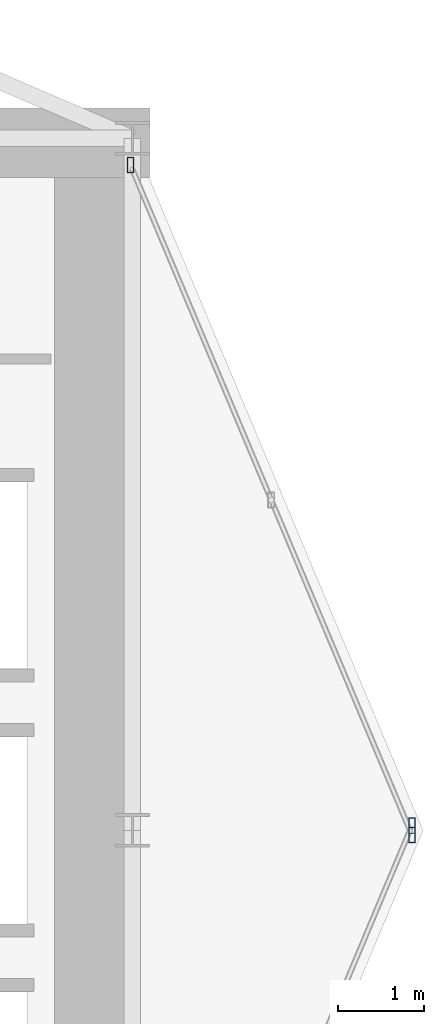
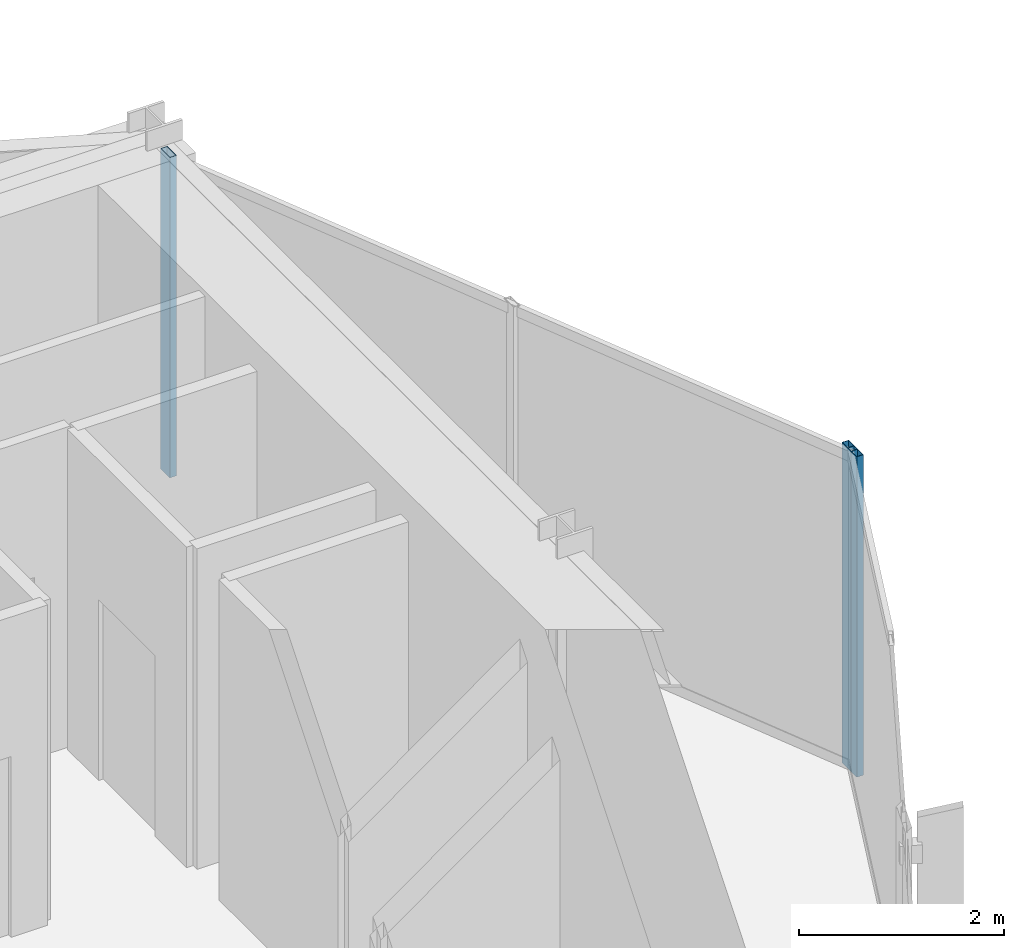
# One storey, part 17 of 25: 3 members, 2 elements without a shape of their own.
"""IFC4 building model written with IfcOpenShell, lengths in metres."""

from ifc_helpers import new_model, si_unit, direction, frame, origin, origin_2d, place, context, subcontext, project, spatial, hollow_rectangle, extrude, material, layer, layer_set, material_profile, profile_set, type_object, element, aggregate, save


model = new_model("IFC4")

# Units and contexts
model_context = context("Model", 3, precision=1e-05, world=origin(), true_north=direction((0.0, 1.0)))
body_context = subcontext(model_context, "Body", "Model", "MODEL_VIEW")
ifc_project = project(units=[si_unit("LENGTHUNIT", "METRE"), si_unit("AREAUNIT", "SQUARE_METRE"), si_unit("VOLUMEUNIT", "CUBIC_METRE"), si_unit("PLANEANGLEUNIT", "RADIAN"), si_unit("MASSUNIT", "GRAM", prefix="KILO")], contexts=[model_context])

# Site, building, storey
site_placement = place(None, origin())
site = spatial("IfcSite", under=ifc_project, at=site_placement, CompositionType="ELEMENT")
building_placement = place(site_placement, origin())
building = spatial("IfcBuilding", under=site, at=building_placement, Name="Veymaron Broadcast Tower", CompositionType="ELEMENT")
storey_placement = place(building_placement, frame((0.0, 0.0, 120.89990234375)))
storey = spatial("IfcBuildingStorey", under=building, at=storey_placement, Name="L27", CompositionType="ELEMENT", Elevation=120.89990234375)

# Curtain wall, member
ifc_material_1 = material(Name="Anodised aluminium AA 6063-T6 and laminated low-E dark glass", Category="aluminium")
ifc_layer = layer(ifc_material_1, 0.179931640625)
ifc_layer_set = layer_set([ifc_layer], Name="Anodised aluminium AA 6063-T6 and laminated low-E dark glass")
curtain_wall_type = type_object("IfcCurtainWallType", Name="CW-SYS-03", PredefinedType="NOTDEFINED", material=ifc_layer_set)
curtain_wall_1_placement = place(storey_placement, origin())
curtain_wall_1 = element("IfcCurtainWall", 1, at=curtain_wall_1_placement, inside=storey, type_object=curtain_wall_type, Name="L27 dark-glass curtain wall CW-L27-E2-1", PredefinedType="NOTDEFINED")
ifc_material_2 = material(Name="Anodised aluminium AA 6063-T6", Category="aluminium")
ifc_material_profile = material_profile(ifc_material_2, hollow_rectangle(XDim=0.074951171875, YDim=0.179931640625, WallThickness=0.0048828125, at=origin_2d()), Name="AL180X75X5")
ifc_profile_set = profile_set([ifc_material_profile], Name="Anodised aluminium AA 6063-T6")
member_type = type_object("IfcMemberType", Name="CW-MUL-02", PredefinedType="MULLION", material=ifc_profile_set)
member_1_placement = place(storey_placement, frame((57.830810546875, 24.05419921875, 0.0), z_axis=(0.0, 0.0, 1.0), x_axis=(1.0, 0.0, 0.0)))
member_1 = element("IfcMember", 2, at=member_1_placement, type_object=member_type, Name="CW-L27-E2-1 mullion 2", PredefinedType="MULLION", context=body_context, shape_type="SweptSolid", body=[
    extrude(hollow_rectangle(XDim=0.074951171875, YDim=0.179931640625, WallThickness=0.0048828125, at=origin_2d()), origin(), (0.0, 0.0, 1.0), 3.81005859375),
])
aggregate(curtain_wall_1, [member_1])

# Curtain wall, members
curtain_wall_2_placement = place(storey_placement, origin())
curtain_wall_2 = element("IfcCurtainWall", 3, at=curtain_wall_2_placement, inside=storey, type_object=curtain_wall_type, Name="L27 dark-glass curtain wall CW-L27-E3-1", PredefinedType="NOTDEFINED")
member_2_placement = place(storey_placement, frame((57.830810546875, 23.94580078125, 0.0), z_axis=(0.0, 0.0, 1.0), x_axis=(1.0, 0.0, 0.0)))
member_2 = element("IfcMember", 4, at=member_2_placement, type_object=member_type, Name="CW-L27-E3-1 mullion 0", PredefinedType="MULLION", context=body_context, shape_type="SweptSolid", body=[
    extrude(hollow_rectangle(XDim=0.074951171875, YDim=0.179931640625, WallThickness=0.0048828125, at=origin_2d()), origin(), (0.0, 0.0, 1.0), 3.81005859375),
])
member_3_placement = place(storey_placement, frame((54.576904296875, 31.693603515625, 0.0), z_axis=(0.0, 0.0, 1.0), x_axis=(1.0, 0.0, 0.0)))
member_3 = element("IfcMember", 5, at=member_3_placement, type_object=member_type, Name="CW-L27-E3-1 mullion 2", PredefinedType="MULLION", context=body_context, shape_type="SweptSolid", body=[
    extrude(hollow_rectangle(XDim=0.074951171875, YDim=0.179931640625, WallThickness=0.0048828125, at=origin_2d()), origin(), (0.0, 0.0, 1.0), 3.81005859375),
])
aggregate(curtain_wall_2, [member_2, member_3])

save(model, "model.ifc")
